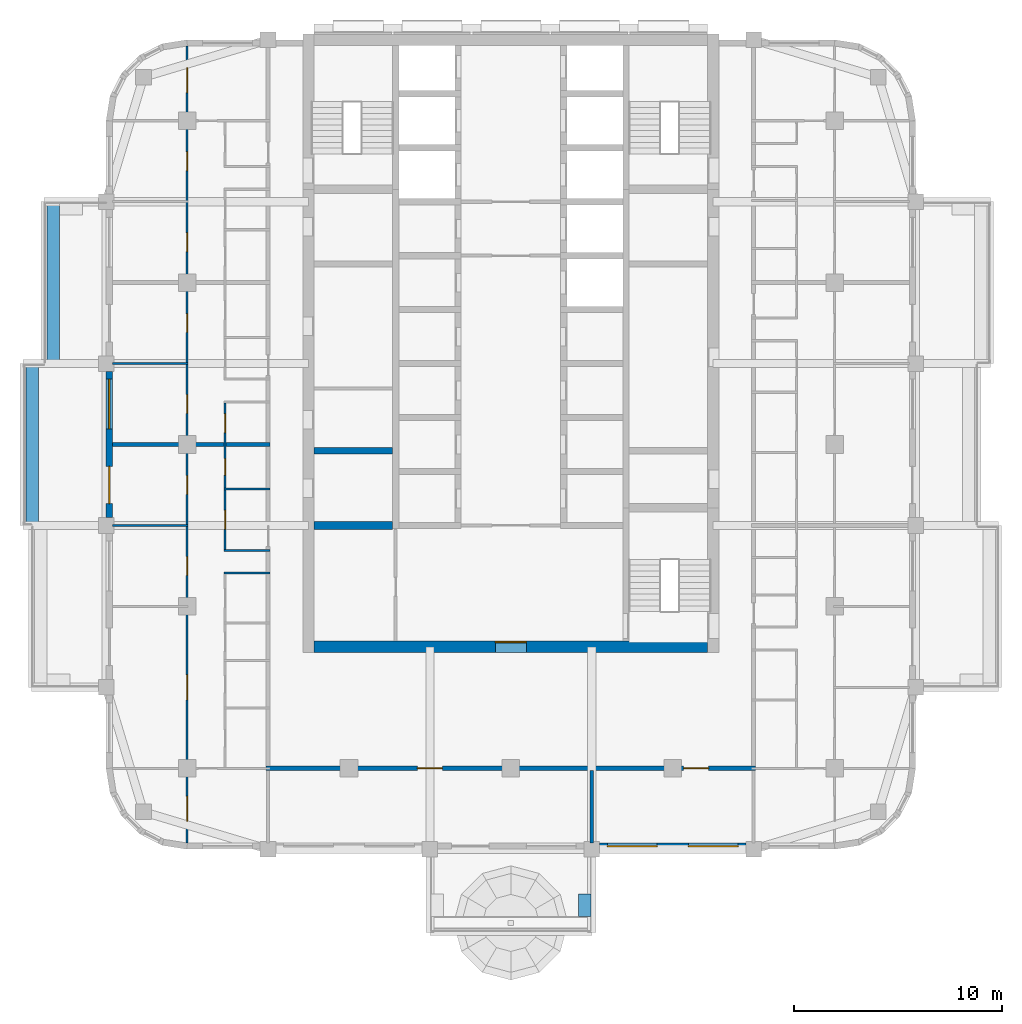
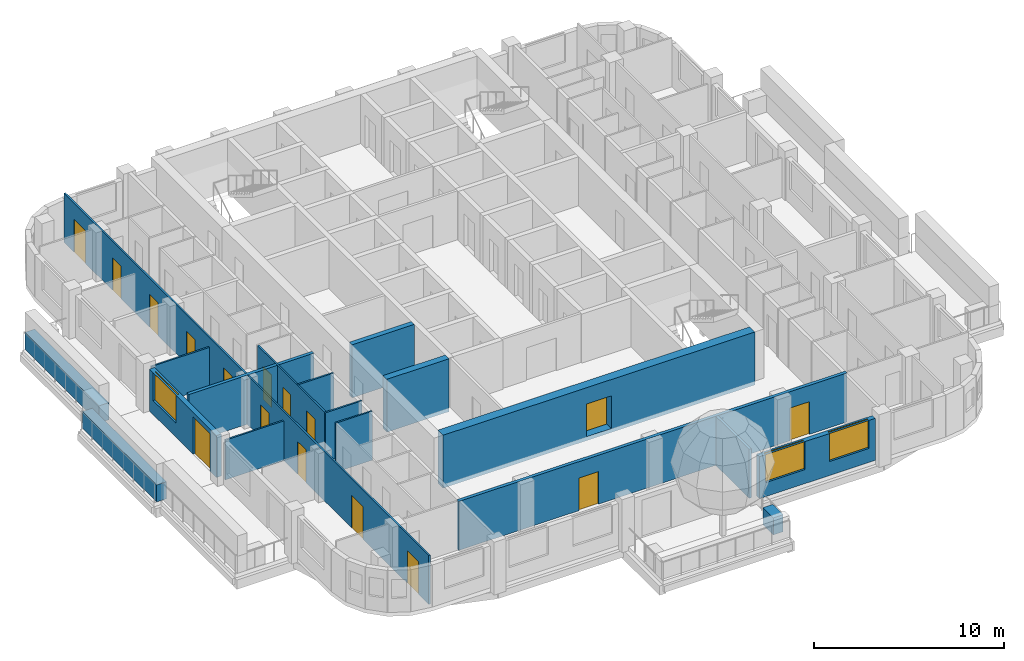
# One storey, part 3 of 14: 18 walls, 16 doors, 3 windows, 19 openings.
"""IFC4 building model written with IfcOpenShell, lengths in metres."""

import ifcopenshell
import ifcopenshell.guid

model = None  # the IFC model being written
_history = None  # IfcOwnerHistory: only IFC2X3 demands one
_inside = {}  # id of a spatial element -> (the spatial element, [elements in it])
_under = {}  # id of a project, library or spatial element -> (it, [spatial elements below it])
_declared = {}  # id of a project -> (the project, [libraries it declares])
_typed = {}  # id of a type object -> (the type object, [elements of that type])
_made_of = {}  # id of a material, layer set ... -> (it, [elements and type objects made of it])


def new_model(schema):
    """Start an empty IFC model of exactly this schema.

    Asked for "IFC4X3", IfcOpenShell would pick the latest addendum, in which some entities
    have other attributes; the version numbers below select the first issue.
    IFC2X3 requires an IfcOwnerHistory on every rooted entity: one is made here for all.
    """
    global model, _history
    if schema == "IFC4X3":
        model = ifcopenshell.file(schema_version=(4, 3, 0, 0))
    else:
        model = ifcopenshell.file(schema=schema)
    _inside.clear()
    _under.clear()
    _declared.clear()
    _typed.clear()
    _made_of.clear()
    _history = None
    if model.schema == "IFC2X3":
        org = make("IfcOrganization", Name="unknown")
        user = make(
            "IfcPersonAndOrganization",
            ThePerson=make("IfcPerson", FamilyName="unknown"),
            TheOrganization=org,
        )
        app = make(
            "IfcApplication",
            ApplicationDeveloper=org,
            Version="unknown",
            ApplicationFullName="unknown",
            ApplicationIdentifier="unknown",
        )
        _history = make(
            "IfcOwnerHistory",
            OwningUser=user,
            OwningApplication=app,
            ChangeAction="ADDED",
            CreationDate=0,
        )
    return model


def make(cls, **values):
    """One entity of the class cls with the attributes given. An attribute that is None is left unset."""
    return model.create_entity(
        cls, **{name: value for name, value in values.items() if value is not None}
    )


def rooted(cls, **values):
    """An entity with a GlobalId (a new one), such as an element, a storey or a relation."""
    return make(cls, GlobalId=ifcopenshell.guid.new(), OwnerHistory=_history, **values)


def si_unit(unit_type, name, prefix=None):
    """IfcSIUnit, for example si_unit("LENGTHUNIT", "METRE", prefix="MILLI")."""
    return make("IfcSIUnit", UnitType=unit_type, Prefix=prefix, Name=name)


def assignment(units):
    """IfcUnitAssignment: the units of a project."""
    return None if units is None else make("IfcUnitAssignment", Units=units)


def point(xyz):
    """IfcCartesianPoint."""
    return None if xyz is None else make("IfcCartesianPoint", Coordinates=xyz)


def direction(xyz):
    """IfcDirection."""
    return None if xyz is None else make("IfcDirection", DirectionRatios=xyz)


def frame(location, z_axis=None, x_axis=None):
    """IfcAxis2Placement3D, a coordinate frame: its origin and axes. An axis left out is left unset."""
    return make(
        "IfcAxis2Placement3D",
        Location=point(location),
        Axis=direction(z_axis),
        RefDirection=direction(x_axis),
    )


def frame_2d(location, x_axis=None):
    """IfcAxis2Placement2D, a coordinate frame in the plane: its origin and x axis."""
    return make(
        "IfcAxis2Placement2D", Location=point(location), RefDirection=direction(x_axis)
    )


def origin():
    """The frame at (0, 0, 0) with its axes left unset."""
    return frame((0.0, 0.0, 0.0))


def place(relative_to, where):
    """IfcLocalPlacement: puts the frame where relative to a parent placement (None: the world)."""
    return make(
        "IfcLocalPlacement", PlacementRelTo=relative_to, RelativePlacement=where
    )


def context(
    kind, dimensions, precision=None, world=None, true_north=None, identifier=None
):
    """IfcGeometricRepresentationContext, for example the 3D "Model" context."""
    return make(
        "IfcGeometricRepresentationContext",
        ContextIdentifier=identifier,
        ContextType=kind,
        CoordinateSpaceDimension=dimensions,
        Precision=precision,
        WorldCoordinateSystem=world,
        TrueNorth=true_north,
    )


def subcontext(parent, identifier, kind, view, scale=None):
    """IfcGeometricRepresentationSubContext, for example "Body" below "Model"."""
    return make(
        "IfcGeometricRepresentationSubContext",
        ContextIdentifier=identifier,
        ContextType=kind,
        ParentContext=parent,
        TargetScale=scale,
        TargetView=view,
    )


def project(units=None, contexts=None):
    """IfcProject with its units and contexts."""
    return rooted(
        "IfcProject",
        Name="project",
        RepresentationContexts=contexts,
        UnitsInContext=assignment(units),
    )


def spatial(cls, under=None, at=None, **own):
    """A site, building, storey or space (cls), placed at a placement, below another one or the project."""
    s = rooted(cls, ObjectPlacement=at, **own)
    if under is not None:
        _under.setdefault(under.id(), (under, []))[1].append(s)
    return s


def profile(cls, at=None, kind="AREA", **sizes):
    """A parametric profile (cls). Its sizes go by their IFC names, for example OverallWidth=200.0."""
    return make(cls, ProfileType=kind, Position=at, **sizes)


def rectangle(**sizes):
    """IfcRectangleProfileDef."""
    return profile("IfcRectangleProfileDef", **sizes)


def extrude(swept, where, along, depth):
    """IfcExtrudedAreaSolid: the profile swept, set in the frame where, extruded along a direction by depth."""
    return make(
        "IfcExtrudedAreaSolid",
        SweptArea=swept,
        Position=where,
        ExtrudedDirection=direction(along),
        Depth=depth,
    )


def shape(context_of_items, identifier, shape_type, items):
    """IfcShapeRepresentation: the items that make up one representation, for example the "Body"."""
    return make(
        "IfcShapeRepresentation",
        ContextOfItems=context_of_items,
        RepresentationIdentifier=identifier,
        RepresentationType=shape_type,
        Items=items,
    )


def material(Name=None, Category=None):
    """IfcMaterial."""
    return make("IfcMaterial", Name=Name, Category=Category)


def layer(
    of_material, thickness, ventilated=None, Name=None, Category=None, Priority=None
):
    """IfcMaterialLayer: one layer of a wall or slab, of a material (None: an air gap)."""
    return make(
        "IfcMaterialLayer",
        Material=of_material,
        LayerThickness=thickness,
        IsVentilated=ventilated,
        Name=Name,
        Category=Category,
        Priority=Priority,
    )


def layer_set(layers, Name=None):
    """IfcMaterialLayerSet."""
    return make("IfcMaterialLayerSet", MaterialLayers=layers, LayerSetName=Name)


def made_of(thing, what):
    """Note that an element or type object is made of a material, layer set ...; save() writes the relation."""
    if what is not None:
        _made_of.setdefault(what.id(), (what, []))[1].append(thing)
    return thing


def type_object(cls, material=None, **own):
    """A type object (cls), such as IfcWallType, which elements share."""
    return made_of(rooted(cls, **own), material)


def element(
    cls,
    number,
    at=None,
    inside=None,
    cuts=None,
    type_object=None,
    material=None,
    context=None,
    identifier="Body",
    shape_type=None,
    held_by="IfcProductDefinitionShape",
    body=None,
    shapes=None,
    **own,
):
    """One element of the class cls, such as IfcWall. Its Tag is "e" and its number.

    at: its placement. inside: the storey or other place that contains it. cuts: it is an
    opening in that element (IfcRelVoidsElement). A single representation is given by context,
    identifier, shape_type and body (its items); several are given by shapes. held_by: the class
    of the entity that holds the representations. save() writes the other relations.
    """
    e = rooted(cls, Tag="e%d" % number, ObjectPlacement=at, **own)
    if body is not None:
        shapes = [shape(context, identifier, shape_type, body)]
    if shapes is not None:
        e.Representation = make(held_by, Representations=shapes)
    if inside is not None:
        _inside.setdefault(inside.id(), (inside, []))[1].append(e)
    if cuts is not None:
        rooted(
            "IfcRelVoidsElement", RelatingBuildingElement=cuts, RelatedOpeningElement=e
        )
    if type_object is not None:
        _typed.setdefault(type_object.id(), (type_object, []))[1].append(e)
    return made_of(e, material)


def fill(opening, filler):
    """IfcRelFillsElement: the door or window that sits in an opening."""
    return rooted(
        "IfcRelFillsElement",
        RelatingOpeningElement=opening,
        RelatedBuildingElement=filler,
    )


def aggregate(whole, parts):
    """IfcRelAggregates: a whole, such as a stair, and the parts it consists of."""
    return rooted("IfcRelAggregates", RelatingObject=whole, RelatedObjects=parts)


def save(model, path):
    """Write the relations noted so far, then the file.

    IfcRelAggregates (storeys below a building ...), IfcRelContainedInSpatialStructure (elements
    in a storey), IfcRelDefinesByType, IfcRelAssociatesMaterial and IfcRelDeclares: one each for
    every whole, place, type object, material and project.
    """
    for whole, parts in _under.values():
        aggregate(whole, parts)
    for where, things in _inside.values():
        rooted(
            "IfcRelContainedInSpatialStructure",
            RelatedElements=things,
            RelatingStructure=where,
        )
    for kind, things in _typed.values():
        rooted("IfcRelDefinesByType", RelatedObjects=things, RelatingType=kind)
    for what, things in _made_of.values():
        rooted("IfcRelAssociatesMaterial", RelatedObjects=things, RelatingMaterial=what)
    for by, libraries in _declared.values():
        rooted("IfcRelDeclares", RelatingContext=by, RelatedDefinitions=libraries)
    model.write(path)


model = new_model("IFC4")

# Units and contexts
model_context = context("Model", 3, precision=1e-05, world=origin(), true_north=direction((0.0, 1.0)))
body_context = subcontext(model_context, "Body", "Model", "MODEL_VIEW")
ifc_project = project(units=[si_unit("LENGTHUNIT", "METRE"), si_unit("AREAUNIT", "SQUARE_METRE"), si_unit("VOLUMEUNIT", "CUBIC_METRE"), si_unit("PLANEANGLEUNIT", "RADIAN"), si_unit("MASSUNIT", "GRAM", prefix="KILO")], contexts=[model_context])

# Site, building, storey
site_placement = place(None, origin())
site = spatial("IfcSite", under=ifc_project, at=site_placement, CompositionType="ELEMENT")
building_placement = place(site_placement, origin())
building = spatial("IfcBuilding", under=site, at=building_placement, Name="Ludao Terraces", CompositionType="ELEMENT")
storey_placement = place(building_placement, frame((0.0, 0.0, 182.60009765625)))
storey = spatial("IfcBuildingStorey", under=building, at=storey_placement, Name="L49", CompositionType="ELEMENT", Elevation=182.60009765625)

# Wall, opening, door
ifc_material_1 = material(Name="Concrete C60", Category="concrete")
ifc_layer_1 = layer(ifc_material_1, 0.550048828125)
ifc_layer_set_1 = layer_set([ifc_layer_1], Name="Core wall 550 C60")
wall_type_1 = type_object("IfcWallType", Name="Core wall 550 C60", PredefinedType="SOLIDWALL", material=ifc_layer_set_1)
wall_1_placement = place(storey_placement, frame((75.52490234375, 55.25, -0.25), z_axis=(0.0, 0.0, 1.0), x_axis=(1.0, 0.0, 0.0)))
wall_1 = element("IfcWall", 1, at=wall_1_placement, inside=storey, type_object=wall_type_1, Name="Core wall L49 outer-S", PredefinedType="SOLIDWALL", context=body_context, shape_type="SweptSolid", body=[
    extrude(rectangle(XDim=18.9501953125, YDim=0.550048828125, at=frame_2d((9.47509765625, 0.0))), origin(), (0.0, 0.0, 1.0), 3.39990234375),
])
opening_1_placement = place(wall_1_placement, frame((8.72509765625, 0.0, 0.25)))
opening_1 = element("IfcOpeningElement", 2, at=opening_1_placement, cuts=wall_1, Name="Opening R17-013", PredefinedType="OPENING", context=body_context, shape_type="SweptSolid", body=[
    extrude(rectangle(XDim=1.5, YDim=2.10009765625, at=frame_2d((0.75, 1.050048828125))), frame((0.0, 0.28515625, 0.0), z_axis=(0.0, -1.0, 0.0), x_axis=(1.0, 0.0, 0.0)), (0.0, 0.0, 1.0), 0.570068359375),
])
ifc_material_2 = material(Name="Steel Q235", Category="steel")
door_type_1 = type_object("IfcDoorType", Name="INT Lobby door 1500", OperationType="DOUBLE_DOOR_SINGLE_SWING", PredefinedType="DOOR", material=ifc_material_2)
door_1_placement = place(opening_1_placement, origin())
door_1 = element("IfcDoor", 3, at=door_1_placement, inside=storey, type_object=door_type_1, Name="DOOR 013", OperationType="DOUBLE_DOOR_SINGLE_SWING", OverallHeight=2.10009765625, OverallWidth=1.5, PredefinedType="DOOR", context=body_context, shape_type="SweptSolid", body=[
    extrude(rectangle(XDim=1.5, YDim=2.10009765625, at=frame_2d((0.75, 1.050048828125))), frame((0.0, 0.26025390625, 0.0), z_axis=(0.0, -1.0, 0.0), x_axis=(1.0, 0.0, 0.0)), (0.0, 0.0, 1.0), 0.050048828125),
])
fill(opening_1, door_1)

# Walls
ifc_material_3 = material(Name="Concrete C40", Category="concrete")
ifc_layer_2 = layer(ifc_material_3, 0.60009765625)
ifc_layer_set_2 = layer_set([ifc_layer_2], Name="ENV Planter trough 600")
wall_type_2 = type_object("IfcWallType", Name="ENV Planter trough 600", PredefinedType="USERDEFINED", material=ifc_layer_set_2)
wall_2_placement = place(storey_placement, frame((88.550048828125, 42.25, 0.0), z_axis=(0.0, 0.0, 1.0), x_axis=(0.0, 1.0, 0.0)))
element("IfcWall", 4, at=wall_2_placement, inside=storey, type_object=wall_type_2, Name="PL-L49-S1-SB", ObjectType="PLANTER", PredefinedType="USERDEFINED", context=body_context, shape_type="SweptSolid", body=[
    extrude(rectangle(XDim=1.10009765625, YDim=0.60009765625, at=frame_2d((0.550048828125, 0.0))), origin(), (0.0, 0.0, 1.0), 1.099853515625),
])
wall_3_placement = place(storey_placement, frame((61.949951171875, 61.10009765625, 0.0), z_axis=(0.0, 0.0, 1.0), x_axis=(0.0, 1.0, 0.0)))
element("IfcWall", 5, at=wall_3_placement, inside=storey, type_object=wall_type_2, Name="PL-L49-W2", ObjectType="PLANTER", PredefinedType="USERDEFINED", context=body_context, shape_type="SweptSolid", body=[
    extrude(rectangle(XDim=7.7998046875, YDim=0.60009765625, at=frame_2d((3.89990234375, 0.0))), origin(), (0.0, 0.0, 1.0), 1.099853515625),
])
wall_4_placement = place(storey_placement, frame((62.949951171875, 68.89990234375, 0.0), z_axis=(0.0, 0.0, 1.0), x_axis=(0.0, 1.0, 0.0)))
element("IfcWall", 6, at=wall_4_placement, inside=storey, type_object=wall_type_2, Name="PL-L49-W3", ObjectType="PLANTER", PredefinedType="USERDEFINED", context=body_context, shape_type="SweptSolid", body=[
    extrude(rectangle(XDim=7.800048828125, YDim=0.60009765625, at=frame_2d((3.89990234375, 0.0))), origin(), (0.0, 0.0, 1.0), 1.099853515625),
])

# Wall, openings, windows
ifc_material_4 = material(Name="Granite cladding", Category="masonry")
ifc_layer_3 = layer(ifc_material_4, 0.0400390625, Category="stone")
ifc_material_5 = material(Name="Mineral wool")
ifc_layer_4 = layer(ifc_material_5, 0.06005859375)
ifc_layer_5 = layer(ifc_material_3, 0.199951171875, Category="concrete")
ifc_layer_set_3 = layer_set([ifc_layer_3, ifc_layer_4, ifc_layer_5], Name="ENV Stone-clad wall 300")
wall_type_3 = type_object("IfcWallType", Name="ENV Stone-clad wall 300", PredefinedType="SOLIDWALL", material=ifc_layer_set_3)
wall_5_placement = place(storey_placement, frame((89.27490234375, 45.64990234375, 0.0), z_axis=(0.0, 0.0, 1.0), x_axis=(1.0, 0.0, 0.0)))
wall_5 = element("IfcWall", 7, at=wall_5_placement, inside=storey, type_object=wall_type_3, Name="EW-L49-S4", PredefinedType="SOLIDWALL", context=body_context, shape_type="SweptSolid", body=[
    extrude(rectangle(XDim=7.050048828125, YDim=0.300048828125, at=frame_2d((3.52490234375, 0.0))), origin(), (0.0, 0.0, 1.0), 2.699951171875),
])
opening_2_placement = place(wall_5_placement, frame((0.375, 0.0, 0.89990234375)))
opening_2 = element("IfcOpeningElement", 8, at=opening_2_placement, cuts=wall_5, Name="Opening W1", PredefinedType="OPENING", context=body_context, shape_type="SweptSolid", body=[
    extrude(rectangle(XDim=2.39990234375, YDim=1.800048828125, at=frame_2d((1.199951171875, 0.89990234375))), frame((0.0, 0.16015625, 0.0), z_axis=(0.0, -1.0, 0.0), x_axis=(1.0, 0.0, 0.0)), (0.0, 0.0, 1.0), 0.320068359375),
])
opening_3_placement = place(wall_5_placement, frame((4.27490234375, 0.0, 0.89990234375)))
opening_3 = element("IfcOpeningElement", 9, at=opening_3_placement, cuts=wall_5, Name="Opening W1", PredefinedType="OPENING", context=body_context, shape_type="SweptSolid", body=[
    extrude(rectangle(XDim=2.39990234375, YDim=1.800048828125, at=frame_2d((1.199951171875, 0.89990234375))), frame((0.0, 0.16015625, 0.0), z_axis=(0.0, -1.0, 0.0), x_axis=(1.0, 0.0, 0.0)), (0.0, 0.0, 1.0), 0.320068359375),
])
ifc_material_6 = material(Name="Clear glass in aluminium frame", Category="aluminium")
ifc_layer_6 = layer(ifc_material_6, 0.06005859375)
ifc_layer_set_4 = layer_set([ifc_layer_6], Name="ENV Window W1 2400x1800")
window_type = type_object("IfcWindowType", Name="ENV Window W1 2400x1800", PartitioningType="DOUBLE_PANEL_VERTICAL", PredefinedType="WINDOW", material=ifc_layer_set_4)
window_1_placement = place(opening_2_placement, origin())
window_1 = element("IfcWindow", 10, at=window_1_placement, inside=storey, type_object=window_type, Name="W-L49-S4-1", OverallHeight=1.800048828125, OverallWidth=2.39990234375, PartitioningType="DOUBLE_PANEL_VERTICAL", PredefinedType="WINDOW", context=body_context, shape_type="SweptSolid", body=[
    extrude(rectangle(XDim=2.39990234375, YDim=1.800048828125, at=frame_2d((1.199951171875, 0.89990234375))), frame((0.0, 0.030029296875, 0.0), z_axis=(0.0, -1.0, 0.0), x_axis=(1.0, 0.0, 0.0)), (0.0, 0.0, 1.0), 0.06005859375),
])
fill(opening_2, window_1)
window_2_placement = place(opening_3_placement, origin())
window_2 = element("IfcWindow", 11, at=window_2_placement, inside=storey, type_object=window_type, Name="W-L49-S4-2", OverallHeight=1.800048828125, OverallWidth=2.39990234375, PartitioningType="DOUBLE_PANEL_VERTICAL", PredefinedType="WINDOW", context=body_context, shape_type="SweptSolid", body=[
    extrude(rectangle(XDim=2.39990234375, YDim=1.800048828125, at=frame_2d((1.199951171875, 0.89990234375))), frame((0.0, 0.030029296875, 0.0), z_axis=(0.0, -1.0, 0.0), x_axis=(1.0, 0.0, 0.0)), (0.0, 0.0, 1.0), 0.06005859375),
])
fill(opening_3, window_2)

# Wall, openings, door, window
wall_6_placement = place(storey_placement, frame((65.64990234375, 61.47509765625, 0.0), z_axis=(0.0, 0.0, 1.0), x_axis=(0.0, 1.0, 0.0)))
wall_6 = element("IfcWall", 12, at=wall_6_placement, inside=storey, type_object=wall_type_3, Name="EW-L49-W3", PredefinedType="SOLIDWALL", context=body_context, shape_type="SweptSolid", body=[
    extrude(rectangle(XDim=7.0498046875, YDim=0.300048828125, at=frame_2d((3.52490234375, 0.0))), origin(), (0.0, 0.0, 1.0), 2.699951171875),
])
opening_4_placement = place(wall_6_placement, frame((0.675048828125, 0.0, 0.0)))
opening_4 = element("IfcOpeningElement", 13, at=opening_4_placement, cuts=wall_6, Name="Opening BD", PredefinedType="OPENING", context=body_context, shape_type="SweptSolid", body=[
    extrude(rectangle(XDim=1.800048828125, YDim=2.39990234375, at=frame_2d((0.89990234375, 1.199951171875))), frame((0.0, 0.16015625, 0.0), z_axis=(0.0, -1.0, 0.0), x_axis=(1.0, 0.0, 0.0)), (0.0, 0.0, 1.0), 0.320068359375),
])
opening_5_placement = place(wall_6_placement, frame((4.27490234375, 0.0, 0.89990234375)))
opening_5 = element("IfcOpeningElement", 14, at=opening_5_placement, cuts=wall_6, Name="Opening W1", PredefinedType="OPENING", context=body_context, shape_type="SweptSolid", body=[
    extrude(rectangle(XDim=2.39990234375, YDim=1.800048828125, at=frame_2d((1.199951171875, 0.89990234375))), frame((0.0, 0.16015625, 0.0), z_axis=(0.0, -1.0, 0.0), x_axis=(1.0, 0.0, 0.0)), (0.0, 0.0, 1.0), 0.320068359375),
])
ifc_material_7 = material(Name="Aluminium glazed door", Category="aluminium")
ifc_layer_7 = layer(ifc_material_7, 0.06005859375)
ifc_layer_set_5 = layer_set([ifc_layer_7], Name="ENV Balcony door BD 1800x2400")
door_type_2 = type_object("IfcDoorType", Name="ENV Balcony door BD 1800x2400", OperationType="DOUBLE_DOOR_SINGLE_SWING", PredefinedType="DOOR", material=ifc_layer_set_5)
door_2_placement = place(opening_4_placement, origin())
door_2 = element("IfcDoor", 15, at=door_2_placement, inside=storey, type_object=door_type_2, Name="BD-L49-W3-1", OperationType="DOUBLE_DOOR_SINGLE_SWING", OverallHeight=2.39990234375, OverallWidth=1.800048828125, PredefinedType="DOOR", context=body_context, shape_type="SweptSolid", body=[
    extrude(rectangle(XDim=1.800048828125, YDim=2.39990234375, at=frame_2d((0.89990234375, 1.199951171875))), frame((0.0, 0.02490234375, 0.0), z_axis=(0.0, -1.0, 0.0), x_axis=(1.0, 0.0, 0.0)), (0.0, 0.0, 1.0), 0.050048828125),
])
fill(opening_4, door_2)
window_3_placement = place(opening_5_placement, origin())
window_3 = element("IfcWindow", 16, at=window_3_placement, inside=storey, type_object=window_type, Name="W-L49-W3-2", OverallHeight=1.800048828125, OverallWidth=2.39990234375, PartitioningType="DOUBLE_PANEL_VERTICAL", PredefinedType="WINDOW", context=body_context, shape_type="SweptSolid", body=[
    extrude(rectangle(XDim=2.39990234375, YDim=1.800048828125, at=frame_2d((1.199951171875, 0.89990234375))), frame((0.0, 0.030029296875, 0.0), z_axis=(0.0, -1.0, 0.0), x_axis=(1.0, 0.0, 0.0)), (0.0, 0.0, 1.0), 0.06005859375),
])
fill(opening_5, window_3)

# Wall, openings, doors
ifc_material_8 = material(Name="Autoclaved aerated concrete block B06 A3.5", Category="concrete")
ifc_layer_8 = layer(ifc_material_8, 0.199951171875)
ifc_layer_set_6 = layer_set([ifc_layer_8], Name="INT Entrance wall 200")
wall_type_4 = type_object("IfcWallType", Name="INT Entrance wall 200", PredefinedType="PARTITIONING", material=ifc_layer_set_6)
wall_7_placement = place(storey_placement, frame((73.2001953125, 49.39990234375, 0.0), z_axis=(0.0, 0.0, 1.0), x_axis=(1.0, 0.0, 0.0)))
wall_7 = element("IfcWall", 17, at=wall_7_placement, inside=storey, type_object=wall_type_4, Name="PW-L49-PW001", PredefinedType="PARTITIONING", context=body_context, shape_type="SweptSolid", body=[
    extrude(rectangle(XDim=23.599853515625, YDim=0.199951171875, at=frame_2d((11.7998046875, 0.0))), origin(), (0.0, 0.0, 1.0), 3.14990234375),
])
opening_6_placement = place(wall_7_placement, frame((7.2998046875, 0.0, 0.0)))
opening_6 = element("IfcOpeningElement", 18, at=opening_6_placement, cuts=wall_7, Name="Opening R17-004", PredefinedType="OPENING", context=body_context, shape_type="SweptSolid", body=[
    extrude(rectangle(XDim=1.199951171875, YDim=2.10009765625, at=frame_2d((0.60009765625, 1.050048828125))), frame((0.0, 0.10986328125, 0.0), z_axis=(0.0, -1.0, 0.0), x_axis=(1.0, 0.0, 0.0)), (0.0, 0.0, 1.0), 0.219970703125),
])
opening_7_placement = place(wall_7_placement, frame((20.125, 0.0, 0.0)))
opening_7 = element("IfcOpeningElement", 19, at=opening_7_placement, cuts=wall_7, Name="Opening R17-005", PredefinedType="OPENING", context=body_context, shape_type="SweptSolid", body=[
    extrude(rectangle(XDim=1.199951171875, YDim=2.10009765625, at=frame_2d((0.60009765625, 1.050048828125))), frame((0.0, 0.10986328125, 0.0), z_axis=(0.0, -1.0, 0.0), x_axis=(1.0, 0.0, 0.0)), (0.0, 0.0, 1.0), 0.219970703125),
])
ifc_material_9 = material(Name="Timber door leaf", Category="wood")
door_type_3 = type_object("IfcDoorType", Name="INT Double door 1200", OperationType="DOUBLE_DOOR_SINGLE_SWING", PredefinedType="DOOR", material=ifc_material_9)
door_3_placement = place(opening_6_placement, origin())
door_3 = element("IfcDoor", 20, at=door_3_placement, inside=storey, type_object=door_type_3, Name="DOOR 004", OperationType="DOUBLE_DOOR_SINGLE_SWING", OverallHeight=2.10009765625, OverallWidth=1.199951171875, PredefinedType="DOOR", context=body_context, shape_type="SweptSolid", body=[
    extrude(rectangle(XDim=1.199951171875, YDim=2.10009765625, at=frame_2d((0.60009765625, 1.050048828125))), frame((0.0, 0.02490234375, 0.0), z_axis=(0.0, -1.0, 0.0), x_axis=(1.0, 0.0, 0.0)), (0.0, 0.0, 1.0), 0.050048828125),
])
fill(opening_6, door_3)
door_4_placement = place(opening_7_placement, origin())
door_4 = element("IfcDoor", 21, at=door_4_placement, inside=storey, type_object=door_type_3, Name="DOOR 005", OperationType="DOUBLE_DOOR_SINGLE_SWING", OverallHeight=2.10009765625, OverallWidth=1.199951171875, PredefinedType="DOOR", context=body_context, shape_type="SweptSolid", body=[
    extrude(rectangle(XDim=1.199951171875, YDim=2.10009765625, at=frame_2d((0.60009765625, 1.050048828125))), frame((0.0, 0.02490234375, 0.0), z_axis=(0.0, -1.0, 0.0), x_axis=(1.0, 0.0, 0.0)), (0.0, 0.0, 1.0), 0.050048828125),
])
fill(opening_7, door_4)

# Walls
ifc_material_10 = material(Name="Gypsum plasterboard", Category="gypsum")
ifc_layer_9 = layer(ifc_material_10, 0.012451171875, Category="gypsum")
ifc_layer_10 = layer(ifc_material_5, 0.06005859375, Name="insulation")
ifc_layer_11 = layer(ifc_material_2, 0.014892578125, Name="stud")
ifc_layer_12 = layer(ifc_material_10, 0.012451171875, Category="gypsum")
ifc_layer_set_7 = layer_set([ifc_layer_9, ifc_layer_10, ifc_layer_11, ifc_layer_12], Name="INT Partition 100")
wall_type_5 = type_object("IfcWallType", Name="INT Partition 100", PredefinedType="PARTITIONING", material=ifc_layer_set_7)
for number, where, z_axis, x_axis, name in (
    (22, (71.18017578125, 58.800048828125, 0.0), (0.0, 0.0, 1.0), (1.0, 0.0, 0.0), "PW-L49-PW013"),
    (23, (71.18017578125, 59.89990234375, 0.0), (0.0, 0.0, 1.0), (1.0, 0.0, 0.0), "PW-L49-PW015"),
):
    element("IfcWall", number, at=place(storey_placement, frame(where, z_axis=z_axis, x_axis=x_axis)), inside=storey, type_object=wall_type_5, Name=name, PredefinedType="PARTITIONING", context=body_context, shape_type="SweptSolid", body=[
        extrude(rectangle(XDim=2.219970703125, YDim=0.10009765625, at=frame_2d((1.10986328125, 0.0))), origin(), (0.0, 0.0, 1.0), 3.14990234375),
    ])
wall_8_placement = place(storey_placement, frame((65.800048828125, 61.10009765625, 0.0), z_axis=(0.0, 0.0, 1.0), x_axis=(1.0, 0.0, 0.0)))
element("IfcWall", 24, at=wall_8_placement, inside=storey, type_object=wall_type_5, Name="PW-L49-PW016", PredefinedType="PARTITIONING", context=body_context, shape_type="SweptSolid", body=[
    extrude(rectangle(XDim=3.650146484375, YDim=0.10009765625, at=frame_2d((1.8251953125, 0.0))), origin(), (0.0, 0.0, 1.0), 2.5498046875),
])
wall_9_placement = place(storey_placement, frame((71.18017578125, 62.85009765625, 0.0), z_axis=(0.0, 0.0, 1.0), x_axis=(1.0, 0.0, 0.0)))
element("IfcWall", 25, at=wall_9_placement, inside=storey, type_object=wall_type_5, Name="PW-L49-PW019", PredefinedType="PARTITIONING", context=body_context, shape_type="SweptSolid", body=[
    extrude(rectangle(XDim=2.219970703125, YDim=0.10009765625, at=frame_2d((1.10986328125, 0.0))), origin(), (0.0, 0.0, 1.0), 3.14990234375),
])
wall_10_placement = place(storey_placement, frame((65.800048828125, 68.89990234375, 0.0), z_axis=(0.0, 0.0, 1.0), x_axis=(1.0, 0.0, 0.0)))
element("IfcWall", 26, at=wall_10_placement, inside=storey, type_object=wall_type_5, Name="PW-L49-PW026", PredefinedType="PARTITIONING", context=body_context, shape_type="SweptSolid", body=[
    extrude(rectangle(XDim=3.650146484375, YDim=0.10009765625, at=frame_2d((1.8251953125, 0.0))), origin(), (0.0, 0.0, 1.0), 2.5498046875),
])

# Wall, openings, doors
wall_11_placement = place(storey_placement, frame((69.39990234375, 45.800048828125, 0.0), z_axis=(0.0, 0.0, 1.0), x_axis=(0.0, 1.0, 0.0)))
wall_11 = element("IfcWall", 27, at=wall_11_placement, inside=storey, type_object=wall_type_5, Name="PW-L49-PW046", PredefinedType="PARTITIONING", context=body_context, shape_type="SweptSolid", body=[
    extrude(rectangle(XDim=38.400146484375, YDim=0.10009765625, at=frame_2d((19.2001953125, 0.0))), origin(), (0.0, 0.0, 1.0), 3.14990234375),
])
opening_8_placement = place(wall_11_placement, frame((1.050048828125, 0.0, 0.0)))
opening_8 = element("IfcOpeningElement", 28, at=opening_8_placement, cuts=wall_11, Name="Opening R17-001", PredefinedType="OPENING", context=body_context, shape_type="SweptSolid", body=[
    extrude(rectangle(XDim=1.199951171875, YDim=2.10009765625, at=frame_2d((0.60009765625, 1.050048828125))), frame((0.0, 0.06005859375, 0.0), z_axis=(0.0, -1.0, 0.0), x_axis=(1.0, 0.0, 0.0)), (0.0, 0.0, 1.0), 0.1201171875),
])
opening_9_placement = place(wall_11_placement, frame((6.89990234375, 0.0, 0.0)))
opening_9 = element("IfcOpeningElement", 29, at=opening_9_placement, cuts=wall_11, Name="Opening R17-010", PredefinedType="OPENING", context=body_context, shape_type="SweptSolid", body=[
    extrude(rectangle(XDim=1.199951171875, YDim=2.10009765625, at=frame_2d((0.60009765625, 1.050048828125))), frame((0.0, 0.06005859375, 0.0), z_axis=(0.0, -1.0, 0.0), x_axis=(1.0, 0.0, 0.0)), (0.0, 0.0, 1.0), 0.1201171875),
])
opening_10_placement = place(wall_11_placement, frame((12.89990234375, 0.0, 0.0)))
opening_10 = element("IfcOpeningElement", 30, at=opening_10_placement, cuts=wall_11, Name="Opening R17-023", PredefinedType="OPENING", context=body_context, shape_type="SweptSolid", body=[
    extrude(rectangle(XDim=0.89990234375, YDim=2.10009765625, at=frame_2d((0.449951171875, 1.050048828125))), frame((0.0, 0.06005859375, 0.0), z_axis=(0.0, -1.0, 0.0), x_axis=(1.0, 0.0, 0.0)), (0.0, 0.0, 1.0), 0.1201171875),
])
opening_11_placement = place(wall_11_placement, frame((16.800048828125, 0.0, 0.0)))
opening_11 = element("IfcOpeningElement", 31, at=opening_11_placement, cuts=wall_11, Name="Opening R17-033", PredefinedType="OPENING", context=body_context, shape_type="SweptSolid", body=[
    extrude(rectangle(XDim=0.89990234375, YDim=2.10009765625, at=frame_2d((0.449951171875, 1.050048828125))), frame((0.0, 0.06005859375, 0.0), z_axis=(0.0, -1.0, 0.0), x_axis=(1.0, 0.0, 0.0)), (0.0, 0.0, 1.0), 0.1201171875),
])
opening_12_placement = place(wall_11_placement, frame((20.699951171875, 0.0, 0.0)))
opening_12 = element("IfcOpeningElement", 32, at=opening_12_placement, cuts=wall_11, Name="Opening R17-042", PredefinedType="OPENING", context=body_context, shape_type="SweptSolid", body=[
    extrude(rectangle(XDim=0.89990234375, YDim=2.10009765625, at=frame_2d((0.449951171875, 1.050048828125))), frame((0.0, 0.06005859375, 0.0), z_axis=(0.0, -1.0, 0.0), x_axis=(1.0, 0.0, 0.0)), (0.0, 0.0, 1.0), 0.1201171875),
])
opening_13_placement = place(wall_11_placement, frame((24.60009765625, 0.0, 0.0)))
opening_13 = element("IfcOpeningElement", 33, at=opening_13_placement, cuts=wall_11, Name="Opening R17-052", PredefinedType="OPENING", context=body_context, shape_type="SweptSolid", body=[
    extrude(rectangle(XDim=0.89990234375, YDim=2.10009765625, at=frame_2d((0.449951171875, 1.050048828125))), frame((0.0, 0.06005859375, 0.0), z_axis=(0.0, -1.0, 0.0), x_axis=(1.0, 0.0, 0.0)), (0.0, 0.0, 1.0), 0.1201171875),
])
opening_14_placement = place(wall_11_placement, frame((28.5, 0.0, 0.0)))
opening_14 = element("IfcOpeningElement", 34, at=opening_14_placement, cuts=wall_11, Name="Opening R17-062", PredefinedType="OPENING", context=body_context, shape_type="SweptSolid", body=[
    extrude(rectangle(XDim=0.89990234375, YDim=2.10009765625, at=frame_2d((0.449951171875, 1.050048828125))), frame((0.0, 0.06005859375, 0.0), z_axis=(0.0, -1.0, 0.0), x_axis=(1.0, 0.0, 0.0)), (0.0, 0.0, 1.0), 0.1201171875),
])
opening_15_placement = place(wall_11_placement, frame((32.39990234375, 0.0, 0.0)))
opening_15 = element("IfcOpeningElement", 35, at=opening_15_placement, cuts=wall_11, Name="Opening R17-077", PredefinedType="OPENING", context=body_context, shape_type="SweptSolid", body=[
    extrude(rectangle(XDim=0.89990234375, YDim=2.10009765625, at=frame_2d((0.449951171875, 1.050048828125))), frame((0.0, 0.06005859375, 0.0), z_axis=(0.0, -1.0, 0.0), x_axis=(1.0, 0.0, 0.0)), (0.0, 0.0, 1.0), 0.1201171875),
])
opening_16_placement = place(wall_11_placement, frame((36.14990234375, 0.0, 0.0)))
opening_16 = element("IfcOpeningElement", 36, at=opening_16_placement, cuts=wall_11, Name="Opening R17-086", PredefinedType="OPENING", context=body_context, shape_type="SweptSolid", body=[
    extrude(rectangle(XDim=1.199951171875, YDim=2.10009765625, at=frame_2d((0.60009765625, 1.050048828125))), frame((0.0, 0.06005859375, 0.0), z_axis=(0.0, -1.0, 0.0), x_axis=(1.0, 0.0, 0.0)), (0.0, 0.0, 1.0), 0.1201171875),
])
door_5_placement = place(opening_8_placement, origin())
door_5 = element("IfcDoor", 37, at=door_5_placement, inside=storey, type_object=door_type_3, Name="DOOR 001", OperationType="DOUBLE_DOOR_SINGLE_SWING", OverallHeight=2.10009765625, OverallWidth=1.199951171875, PredefinedType="DOOR", context=body_context, shape_type="SweptSolid", body=[
    extrude(rectangle(XDim=1.199951171875, YDim=2.10009765625, at=frame_2d((0.60009765625, 1.050048828125))), frame((0.0, 0.02490234375, 0.0), z_axis=(0.0, -1.0, 0.0), x_axis=(1.0, 0.0, 0.0)), (0.0, 0.0, 1.0), 0.050048828125),
])
fill(opening_8, door_5)
door_6_placement = place(opening_9_placement, origin())
door_6 = element("IfcDoor", 38, at=door_6_placement, inside=storey, type_object=door_type_3, Name="DOOR 010", OperationType="DOUBLE_DOOR_SINGLE_SWING", OverallHeight=2.10009765625, OverallWidth=1.199951171875, PredefinedType="DOOR", context=body_context, shape_type="SweptSolid", body=[
    extrude(rectangle(XDim=1.199951171875, YDim=2.10009765625, at=frame_2d((0.60009765625, 1.050048828125))), frame((0.0, 0.02490234375, 0.0), z_axis=(0.0, -1.0, 0.0), x_axis=(1.0, 0.0, 0.0)), (0.0, 0.0, 1.0), 0.050048828125),
])
fill(opening_9, door_6)
door_7_placement = place(opening_16_placement, origin())
door_7 = element("IfcDoor", 39, at=door_7_placement, inside=storey, type_object=door_type_3, Name="DOOR 086", OperationType="DOUBLE_DOOR_SINGLE_SWING", OverallHeight=2.10009765625, OverallWidth=1.199951171875, PredefinedType="DOOR", context=body_context, shape_type="SweptSolid", body=[
    extrude(rectangle(XDim=1.199951171875, YDim=2.10009765625, at=frame_2d((0.60009765625, 1.050048828125))), frame((0.0, 0.02490234375, 0.0), z_axis=(0.0, -1.0, 0.0), x_axis=(1.0, 0.0, 0.0)), (0.0, 0.0, 1.0), 0.050048828125),
])
fill(opening_16, door_7)
door_type_4 = type_object("IfcDoorType", Name="INT Room door 900", OperationType="SINGLE_SWING_LEFT", PredefinedType="DOOR", material=ifc_material_9)
door_8_placement = place(opening_10_placement, origin())
door_8 = element("IfcDoor", 40, at=door_8_placement, inside=storey, type_object=door_type_4, Name="DOOR 023", OperationType="SINGLE_SWING_RIGHT", OverallHeight=2.10009765625, OverallWidth=0.89990234375, PredefinedType="DOOR", context=body_context, shape_type="SweptSolid", body=[
    extrude(rectangle(XDim=0.89990234375, YDim=2.10009765625, at=frame_2d((0.449951171875, 1.050048828125))), frame((0.0, 0.02490234375, 0.0), z_axis=(0.0, -1.0, 0.0), x_axis=(1.0, 0.0, 0.0)), (0.0, 0.0, 1.0), 0.050048828125),
])
fill(opening_10, door_8)
door_9_placement = place(opening_11_placement, origin())
door_9 = element("IfcDoor", 41, at=door_9_placement, inside=storey, type_object=door_type_4, Name="DOOR 033", OperationType="SINGLE_SWING_LEFT", OverallHeight=2.10009765625, OverallWidth=0.89990234375, PredefinedType="DOOR", context=body_context, shape_type="SweptSolid", body=[
    extrude(rectangle(XDim=0.89990234375, YDim=2.10009765625, at=frame_2d((0.449951171875, 1.050048828125))), frame((0.0, 0.02490234375, 0.0), z_axis=(0.0, -1.0, 0.0), x_axis=(1.0, 0.0, 0.0)), (0.0, 0.0, 1.0), 0.050048828125),
])
fill(opening_11, door_9)
door_10_placement = place(opening_12_placement, origin())
door_10 = element("IfcDoor", 42, at=door_10_placement, inside=storey, type_object=door_type_4, Name="DOOR 042", OperationType="SINGLE_SWING_RIGHT", OverallHeight=2.10009765625, OverallWidth=0.89990234375, PredefinedType="DOOR", context=body_context, shape_type="SweptSolid", body=[
    extrude(rectangle(XDim=0.89990234375, YDim=2.10009765625, at=frame_2d((0.449951171875, 1.050048828125))), frame((0.0, 0.02490234375, 0.0), z_axis=(0.0, -1.0, 0.0), x_axis=(1.0, 0.0, 0.0)), (0.0, 0.0, 1.0), 0.050048828125),
])
fill(opening_12, door_10)
door_11_placement = place(opening_13_placement, origin())
door_11 = element("IfcDoor", 43, at=door_11_placement, inside=storey, type_object=door_type_4, Name="DOOR 052", OperationType="SINGLE_SWING_RIGHT", OverallHeight=2.10009765625, OverallWidth=0.89990234375, PredefinedType="DOOR", context=body_context, shape_type="SweptSolid", body=[
    extrude(rectangle(XDim=0.89990234375, YDim=2.10009765625, at=frame_2d((0.449951171875, 1.050048828125))), frame((0.0, 0.02490234375, 0.0), z_axis=(0.0, -1.0, 0.0), x_axis=(1.0, 0.0, 0.0)), (0.0, 0.0, 1.0), 0.050048828125),
])
fill(opening_13, door_11)
door_12_placement = place(opening_14_placement, origin())
door_12 = element("IfcDoor", 44, at=door_12_placement, inside=storey, type_object=door_type_4, Name="DOOR 062", OperationType="SINGLE_SWING_LEFT", OverallHeight=2.10009765625, OverallWidth=0.89990234375, PredefinedType="DOOR", context=body_context, shape_type="SweptSolid", body=[
    extrude(rectangle(XDim=0.89990234375, YDim=2.10009765625, at=frame_2d((0.449951171875, 1.050048828125))), frame((0.0, 0.02490234375, 0.0), z_axis=(0.0, -1.0, 0.0), x_axis=(1.0, 0.0, 0.0)), (0.0, 0.0, 1.0), 0.050048828125),
])
fill(opening_14, door_12)
door_13_placement = place(opening_15_placement, origin())
door_13 = element("IfcDoor", 45, at=door_13_placement, inside=storey, type_object=door_type_4, Name="DOOR 077", OperationType="SINGLE_SWING_LEFT", OverallHeight=2.10009765625, OverallWidth=0.89990234375, PredefinedType="DOOR", context=body_context, shape_type="SweptSolid", body=[
    extrude(rectangle(XDim=0.89990234375, YDim=2.10009765625, at=frame_2d((0.449951171875, 1.050048828125))), frame((0.0, 0.02490234375, 0.0), z_axis=(0.0, -1.0, 0.0), x_axis=(1.0, 0.0, 0.0)), (0.0, 0.0, 1.0), 0.050048828125),
])
fill(opening_15, door_13)

wall_12_placement = place(storey_placement, frame((71.22998046875, 59.9501953125, 0.0), z_axis=(0.0, 0.0, 1.0), x_axis=(0.0, 1.0, 0.0)))
wall_12 = element("IfcWall", 46, at=wall_12_placement, inside=storey, type_object=wall_type_5, Name="PW-L49-PW048", PredefinedType="PARTITIONING", context=body_context, shape_type="SweptSolid", body=[
    extrude(rectangle(XDim=7.0498046875, YDim=0.10009765625, at=frame_2d((3.52490234375, 0.0))), origin(), (0.0, 0.0, 1.0), 3.14990234375),
])
opening_17_placement = place(wall_12_placement, frame((0.974853515625, 0.0, 0.0)))
opening_17 = element("IfcOpeningElement", 47, at=opening_17_placement, cuts=wall_12, Name="Opening R17-028", PredefinedType="OPENING", context=body_context, shape_type="SweptSolid", body=[
    extrude(rectangle(XDim=0.89990234375, YDim=2.10009765625, at=frame_2d((0.449951171875, 1.050048828125))), frame((0.0, 0.06005859375, 0.0), z_axis=(0.0, -1.0, 0.0), x_axis=(1.0, 0.0, 0.0)), (0.0, 0.0, 1.0), 0.1201171875),
])
opening_18_placement = place(wall_12_placement, frame((3.574951171875, 0.0, 0.0)))
opening_18 = element("IfcOpeningElement", 48, at=opening_18_placement, cuts=wall_12, Name="Opening R17-035", PredefinedType="OPENING", context=body_context, shape_type="SweptSolid", body=[
    extrude(rectangle(XDim=0.800048828125, YDim=2.10009765625, at=frame_2d((0.39990234375, 1.050048828125))), frame((0.0, 0.06005859375, 0.0), z_axis=(0.0, -1.0, 0.0), x_axis=(1.0, 0.0, 0.0)), (0.0, 0.0, 1.0), 0.1201171875),
])
opening_19_placement = place(wall_12_placement, frame((5.625, 0.0, 0.0)))
opening_19 = element("IfcOpeningElement", 49, at=opening_19_placement, cuts=wall_12, Name="Opening R17-038", PredefinedType="OPENING", context=body_context, shape_type="SweptSolid", body=[
    extrude(rectangle(XDim=0.89990234375, YDim=2.10009765625, at=frame_2d((0.449951171875, 1.050048828125))), frame((0.0, 0.06005859375, 0.0), z_axis=(0.0, -1.0, 0.0), x_axis=(1.0, 0.0, 0.0)), (0.0, 0.0, 1.0), 0.1201171875),
])
door_type_5 = type_object("IfcDoorType", Name="INT Bathroom door 900", OperationType="SINGLE_SWING_LEFT", PredefinedType="DOOR", material=ifc_material_9)
door_14_placement = place(opening_19_placement, origin())
door_14 = element("IfcDoor", 50, at=door_14_placement, inside=storey, type_object=door_type_5, Name="DOOR 038", OperationType="SINGLE_SWING_RIGHT", OverallHeight=2.10009765625, OverallWidth=0.89990234375, PredefinedType="DOOR", context=body_context, shape_type="SweptSolid", body=[
    extrude(rectangle(XDim=0.89990234375, YDim=2.10009765625, at=frame_2d((0.449951171875, 1.050048828125))), frame((0.0, 0.02490234375, 0.0), z_axis=(0.0, -1.0, 0.0), x_axis=(1.0, 0.0, 0.0)), (0.0, 0.0, 1.0), 0.050048828125),
])
fill(opening_19, door_14)
door_15_placement = place(opening_17_placement, origin())
door_15 = element("IfcDoor", 51, at=door_15_placement, inside=storey, type_object=door_type_4, Name="DOOR 028", OperationType="SINGLE_SWING_RIGHT", OverallHeight=2.10009765625, OverallWidth=0.89990234375, PredefinedType="DOOR", context=body_context, shape_type="SweptSolid", body=[
    extrude(rectangle(XDim=0.89990234375, YDim=2.10009765625, at=frame_2d((0.449951171875, 1.050048828125))), frame((0.0, 0.02490234375, 0.0), z_axis=(0.0, -1.0, 0.0), x_axis=(1.0, 0.0, 0.0)), (0.0, 0.0, 1.0), 0.050048828125),
])
fill(opening_17, door_15)
door_type_6 = type_object("IfcDoorType", Name="INT Store door 800", OperationType="SINGLE_SWING_LEFT", PredefinedType="DOOR", material=ifc_material_9)
door_16_placement = place(opening_18_placement, origin())
door_16 = element("IfcDoor", 52, at=door_16_placement, inside=storey, type_object=door_type_6, Name="DOOR 035", OperationType="SINGLE_SWING_LEFT", OverallHeight=2.10009765625, OverallWidth=0.800048828125, PredefinedType="DOOR", context=body_context, shape_type="SweptSolid", body=[
    extrude(rectangle(XDim=0.800048828125, YDim=2.10009765625, at=frame_2d((0.39990234375, 1.050048828125))), frame((0.0, 0.02490234375, 0.0), z_axis=(0.0, -1.0, 0.0), x_axis=(1.0, 0.0, 0.0)), (0.0, 0.0, 1.0), 0.050048828125),
])
fill(opening_18, door_16)

# Walls
ifc_layer_13 = layer(ifc_material_8, 0.14990234375)
ifc_layer_set_8 = layer_set([ifc_layer_13], Name="INT Party wall 150")
wall_type_6 = type_object("IfcWallType", Name="INT Party wall 150", PredefinedType="PARTITIONING", material=ifc_layer_set_8)
wall_13_placement = place(storey_placement, frame((88.89990234375, 45.800048828125, 0.0), z_axis=(0.0, 0.0, 1.0), x_axis=(0.0, 1.0, 0.0)))
element("IfcWall", 53, at=wall_13_placement, inside=storey, type_object=wall_type_6, Name="PW-L49-PW054", PredefinedType="PARTITIONING", context=body_context, shape_type="SweptSolid", body=[
    extrude(rectangle(XDim=3.5, YDim=0.14990234375, at=frame_2d((1.75, 0.0))), origin(), (0.0, 0.0, 1.0), 3.14990234375),
])
ifc_layer_14 = layer(ifc_material_8, 0.199951171875)
ifc_layer_set_9 = layer_set([ifc_layer_14], Name="INT Party wall 200")
wall_type_7 = type_object("IfcWallType", Name="INT Party wall 200", PredefinedType="PARTITIONING", material=ifc_layer_set_9)
wall_14_placement = place(storey_placement, frame((65.800048828125, 65.0, 0.0), z_axis=(0.0, 0.0, 1.0), x_axis=(1.0, 0.0, 0.0)))
element("IfcWall", 54, at=wall_14_placement, inside=storey, type_object=wall_type_7, Name="PW-L49-PW021", PredefinedType="PARTITIONING", context=body_context, shape_type="SweptSolid", body=[
    extrude(rectangle(XDim=7.60009765625, YDim=0.199951171875, at=frame_2d((3.800048828125, 0.0))), origin(), (0.0, 0.0, 1.0), 3.14990234375),
])
ifc_material_11 = material(Name="Concrete C55", Category="concrete")
ifc_layer_15 = layer(ifc_material_11, 0.300048828125)
ifc_layer_set_10 = layer_set([ifc_layer_15], Name="Shaft wall 300 C55")
wall_type_8 = type_object("IfcWallType", Name="Shaft wall 300 C55", PredefinedType="SOLIDWALL", material=ifc_layer_set_10)
wall_15_placement = place(storey_placement, frame((75.52490234375, 64.699951171875, -0.25), z_axis=(0.0, 0.0, 1.0), x_axis=(1.0, 0.0, 0.0)))
element("IfcWall", 55, at=wall_15_placement, inside=storey, type_object=wall_type_8, Name="Core wall L49 riser-a-W", PredefinedType="SOLIDWALL", context=body_context, shape_type="SweptSolid", body=[
    extrude(rectangle(XDim=3.775146484375, YDim=0.300048828125, at=frame_2d((1.8876953125, 0.0))), origin(), (0.0, 0.0, 1.0), 3.39990234375),
])
ifc_layer_16 = layer(ifc_material_11, 0.39990234375)
ifc_layer_set_11 = layer_set([ifc_layer_16], Name="Shaft wall 400 C55")
wall_type_9 = type_object("IfcWallType", Name="Shaft wall 400 C55", PredefinedType="SOLIDWALL", material=ifc_layer_set_11)
wall_16_placement = place(storey_placement, frame((75.52490234375, 61.10009765625, -0.25), z_axis=(0.0, 0.0, 1.0), x_axis=(1.0, 0.0, 0.0)))
element("IfcWall", 56, at=wall_16_placement, inside=storey, type_object=wall_type_9, Name="Core wall L49 hall-W", PredefinedType="SOLIDWALL", context=body_context, shape_type="SweptSolid", body=[
    extrude(rectangle(XDim=3.775146484375, YDim=0.39990234375, at=frame_2d((1.8876953125, 0.0))), origin(), (0.0, 0.0, 1.0), 3.39990234375),
])

save(model, "model.ifc")
